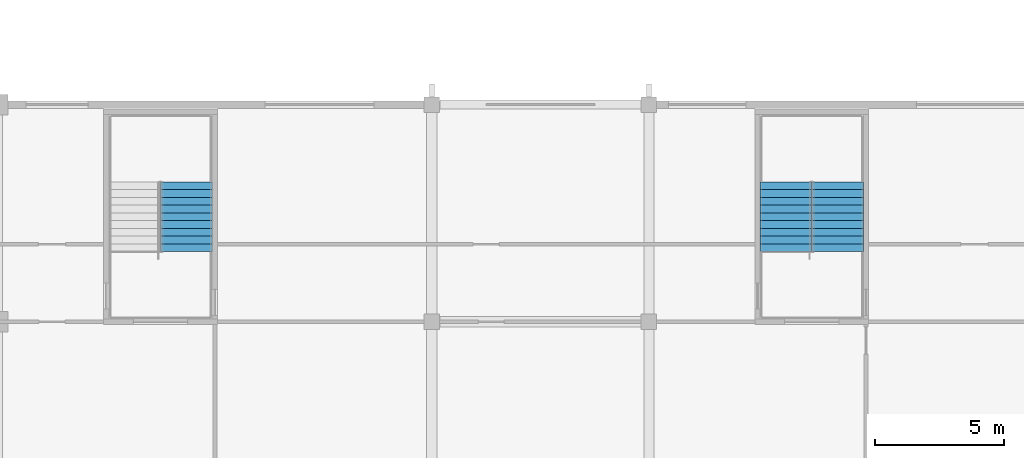
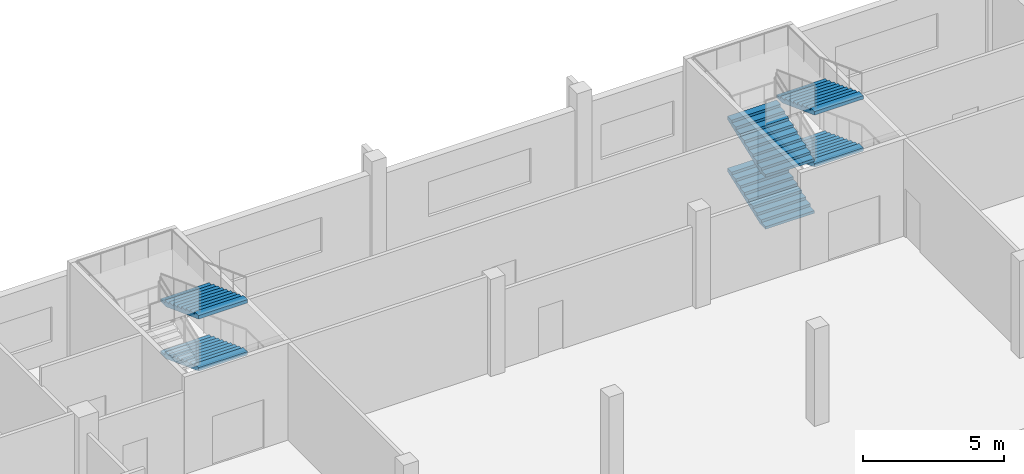
# One storey, part 39 of 56: 6 stair flights, 2 elements without a shape of their own.
"""IFC4 building model written with IfcOpenShell, lengths in metres."""

from ifc_helpers import new_model, si_unit, direction, frame, origin, place, context, subcontext, project, spatial, faceted_brep, material, type_object, element, aggregate, save


model = new_model("IFC4")

# Units and contexts
model_context = context("Model", 3, precision=1e-05, world=origin(), true_north=direction((0.0, 1.0)))
body_context = subcontext(model_context, "Body", "Model", "MODEL_VIEW")
ifc_project = project(units=[si_unit("LENGTHUNIT", "METRE"), si_unit("AREAUNIT", "SQUARE_METRE"), si_unit("VOLUMEUNIT", "CUBIC_METRE"), si_unit("PLANEANGLEUNIT", "RADIAN"), si_unit("MASSUNIT", "GRAM", prefix="KILO")], contexts=[model_context])

# Site, building, storey
site_placement = place(None, origin())
site = spatial("IfcSite", under=ifc_project, at=site_placement, CompositionType="ELEMENT")
building_placement = place(site_placement, origin())
building = spatial("IfcBuilding", under=site, at=building_placement, Name="Rulbaag Community and Learning Centre", CompositionType="ELEMENT")
storey_placement = place(building_placement, frame((0.0, 0.0, 9.89990234375)))
storey = spatial("IfcBuildingStorey", under=building, at=storey_placement, Name="L02", CompositionType="ELEMENT", Elevation=9.89990234375)

# Stair, stair flights
ifc_material = material(Name="Concrete M40", Category="concrete")
stair_type = type_object("IfcStairType", Name="ST-2000 STAIR 2000 WIDE", PredefinedType="HALF_TURN_STAIR", material=ifc_material)
stair_1_placement = place(storey_placement, origin())
stair_1 = element("IfcStair", 1, at=stair_1_placement, inside=storey, type_object=stair_type, Name="Stair ST-H6 L02", PredefinedType="HALF_TURN_STAIR")
stair_flight_type = type_object("IfcStairFlightType", Name="FL-2000 FLIGHT 2000 WIDE Concrete M40", PredefinedType="STRAIGHT", material=ifc_material)
stair_flight_1_placement = place(storey_placement, frame((91.300048828125, 47.41259765625, 1.125), z_axis=(0.0, 0.0, 1.0), x_axis=(0.0, -1.0, 0.0)))
stair_flight_1 = element("IfcStairFlight", 2, at=stair_flight_1_placement, type_object=stair_flight_type, Name="ST-H6 flight 2", NumberOfRisers=10, NumberOfTreads=9, PredefinedType="STRAIGHT", RiserHeight=0.1125, TreadLength=0.3, context=body_context, shape_type="Brep", body=[
    faceted_brep([(0.3984375, -1.0, 0.0), (2.699951171875, -1.0, 0.863037109375), (2.699951171875, -1.0, 1.012451171875), (2.39990234375, -1.0, 1.012451171875), (2.39990234375, -1.0, 0.89990234375), (2.10009765625, -1.0, 0.89990234375), (2.10009765625, -1.0, 0.78759765625), (1.800048828125, -1.0, 0.78759765625), (1.800048828125, -1.0, 0.675048828125), (1.5, -1.0, 0.675048828125), (1.5, -1.0, 0.5625), (1.199951171875, -1.0, 0.5625), (1.199951171875, -1.0, 0.449951171875), (0.89990234375, -1.0, 0.449951171875), (0.89990234375, -1.0, 0.33740234375), (0.60009765625, -1.0, 0.33740234375), (0.60009765625, -1.0, 0.22509765625), (0.300048828125, -1.0, 0.22509765625), (0.300048828125, -1.0, 0.112548828125), (0.0, -1.0, 0.112548828125), (0.0, -1.0, 0.0), (0.0, 1.0, 0.0), (0.0, 1.0, 0.112548828125), (0.300048828125, 1.0, 0.112548828125), (0.300048828125, 1.0, 0.22509765625), (0.60009765625, 1.0, 0.22509765625), (0.60009765625, 1.0, 0.33740234375), (0.89990234375, 1.0, 0.33740234375), (0.89990234375, 1.0, 0.449951171875), (1.199951171875, 1.0, 0.449951171875), (1.199951171875, 1.0, 0.5625), (1.5, 1.0, 0.5625), (1.5, 1.0, 0.675048828125), (1.800048828125, 1.0, 0.675048828125), (1.800048828125, 1.0, 0.78759765625), (2.10009765625, 1.0, 0.78759765625), (2.10009765625, 1.0, 0.89990234375), (2.39990234375, 1.0, 0.89990234375), (2.39990234375, 1.0, 1.012451171875), (2.699951171875, 1.0, 1.012451171875), (2.699951171875, 1.0, 0.863037109375), (0.3984375, 1.0, 0.0), (0.0, -0.333251953125, 0.112548828125), (0.0, -0.333251953125, 0.0), (0.0, 0.333251953125, 0.112548828125), (0.0, 0.333251953125, 0.0), (0.300048828125, -0.333251953125, 0.112548828125), (0.300048828125, 0.333251953125, 0.112548828125), (0.300048828125, -0.333251953125, 0.22509765625), (0.300048828125, 0.333251953125, 0.22509765625), (0.60009765625, -0.333251953125, 0.22509765625), (0.60009765625, 0.333251953125, 0.22509765625), (0.60009765625, -0.333251953125, 0.33740234375), (0.60009765625, 0.333251953125, 0.33740234375), (0.89990234375, -0.333251953125, 0.33740234375), (0.89990234375, 0.333251953125, 0.33740234375), (0.89990234375, -0.333251953125, 0.449951171875), (0.89990234375, 0.333251953125, 0.449951171875), (1.199951171875, -0.333251953125, 0.449951171875), (1.199951171875, 0.333251953125, 0.449951171875), (1.199951171875, -0.333251953125, 0.5625), (1.199951171875, 0.333251953125, 0.5625), (1.5, -0.333251953125, 0.5625), (1.5, 0.333251953125, 0.5625), (1.5, -0.333251953125, 0.675048828125), (1.5, 0.333251953125, 0.675048828125), (1.800048828125, -0.333251953125, 0.675048828125), (1.800048828125, 0.333251953125, 0.675048828125), (1.800048828125, -0.333251953125, 0.78759765625), (1.800048828125, 0.333251953125, 0.78759765625), (2.10009765625, -0.333251953125, 0.78759765625), (2.10009765625, 0.333251953125, 0.78759765625), (2.10009765625, -0.333251953125, 0.89990234375), (2.10009765625, 0.333251953125, 0.89990234375), (2.39990234375, -0.333251953125, 0.89990234375), (2.39990234375, 0.333251953125, 0.89990234375), (2.39990234375, -0.333251953125, 1.012451171875), (2.39990234375, 0.333251953125, 1.012451171875), (2.699951171875, -0.333251953125, 1.012451171875), (2.699951171875, 0.333251953125, 1.012451171875), (2.699951171875, -0.333251953125, 0.863037109375), (2.699951171875, 0.333251953125, 0.863037109375), (0.3984375, -0.333251953125, 0.0), (0.3984375, 0.333251953125, 0.0)], [[[0, 1, 2, 3, 4, 5, 6, 7, 8, 9, 10, 11, 12, 13, 14, 15, 16, 17, 18, 19, 20]], [[21, 22, 23, 24, 25, 26, 27, 28, 29, 30, 31, 32, 33, 34, 35, 36, 37, 38, 39, 40, 41]], [[20, 19, 42, 43]], [[43, 42, 44, 45]], [[45, 44, 22, 21]], [[19, 18, 46, 42]], [[42, 46, 47, 44]], [[44, 47, 23, 22]], [[18, 17, 48, 46]], [[46, 48, 49, 47]], [[47, 49, 24, 23]], [[17, 16, 50, 48]], [[48, 50, 51, 49]], [[49, 51, 25, 24]], [[16, 15, 52, 50]], [[50, 52, 53, 51]], [[51, 53, 26, 25]], [[15, 14, 54, 52]], [[52, 54, 55, 53]], [[53, 55, 27, 26]], [[14, 13, 56, 54]], [[54, 56, 57, 55]], [[55, 57, 28, 27]], [[13, 12, 58, 56]], [[56, 58, 59, 57]], [[57, 59, 29, 28]], [[12, 11, 60, 58]], [[58, 60, 61, 59]], [[59, 61, 30, 29]], [[11, 10, 62, 60]], [[60, 62, 63, 61]], [[61, 63, 31, 30]], [[10, 9, 64, 62]], [[62, 64, 65, 63]], [[63, 65, 32, 31]], [[9, 8, 66, 64]], [[64, 66, 67, 65]], [[65, 67, 33, 32]], [[8, 7, 68, 66]], [[66, 68, 69, 67]], [[67, 69, 34, 33]], [[7, 6, 70, 68]], [[68, 70, 71, 69]], [[69, 71, 35, 34]], [[6, 5, 72, 70]], [[70, 72, 73, 71]], [[71, 73, 36, 35]], [[5, 4, 74, 72]], [[72, 74, 75, 73]], [[73, 75, 37, 36]], [[4, 3, 76, 74]], [[74, 76, 77, 75]], [[75, 77, 38, 37]], [[3, 2, 78, 76]], [[76, 78, 79, 77]], [[77, 79, 39, 38]], [[2, 1, 80, 78]], [[78, 80, 81, 79]], [[79, 81, 40, 39]], [[1, 0, 82, 80]], [[80, 82, 83, 81]], [[81, 83, 41, 40]], [[0, 20, 43, 82]], [[82, 43, 45, 83]], [[83, 45, 21, 41]]]),
])
stair_flight_2_placement = place(storey_placement, frame((91.300048828125, 47.41259765625, 3.375), z_axis=(0.0, 0.0, 1.0), x_axis=(0.0, -1.0, 0.0)))
stair_flight_2 = element("IfcStairFlight", 3, at=stair_flight_2_placement, type_object=stair_flight_type, Name="ST-H6 flight 4", NumberOfRisers=10, NumberOfTreads=9, PredefinedType="STRAIGHT", RiserHeight=0.1125, TreadLength=0.3, context=body_context, shape_type="Brep", body=[
    faceted_brep([(0.3984375, -1.0, 0.0), (2.699951171875, -1.0, 0.863037109375), (2.699951171875, -1.0, 1.012451171875), (2.39990234375, -1.0, 1.012451171875), (2.39990234375, -1.0, 0.89990234375), (2.10009765625, -1.0, 0.89990234375), (2.10009765625, -1.0, 0.78759765625), (1.800048828125, -1.0, 0.78759765625), (1.800048828125, -1.0, 0.675048828125), (1.5, -1.0, 0.675048828125), (1.5, -1.0, 0.5625), (1.199951171875, -1.0, 0.5625), (1.199951171875, -1.0, 0.449951171875), (0.89990234375, -1.0, 0.449951171875), (0.89990234375, -1.0, 0.33740234375), (0.60009765625, -1.0, 0.33740234375), (0.60009765625, -1.0, 0.22509765625), (0.300048828125, -1.0, 0.22509765625), (0.300048828125, -1.0, 0.112548828125), (0.0, -1.0, 0.112548828125), (0.0, -1.0, 0.0), (0.0, 1.0, 0.0), (0.0, 1.0, 0.112548828125), (0.300048828125, 1.0, 0.112548828125), (0.300048828125, 1.0, 0.22509765625), (0.60009765625, 1.0, 0.22509765625), (0.60009765625, 1.0, 0.33740234375), (0.89990234375, 1.0, 0.33740234375), (0.89990234375, 1.0, 0.449951171875), (1.199951171875, 1.0, 0.449951171875), (1.199951171875, 1.0, 0.5625), (1.5, 1.0, 0.5625), (1.5, 1.0, 0.675048828125), (1.800048828125, 1.0, 0.675048828125), (1.800048828125, 1.0, 0.78759765625), (2.10009765625, 1.0, 0.78759765625), (2.10009765625, 1.0, 0.89990234375), (2.39990234375, 1.0, 0.89990234375), (2.39990234375, 1.0, 1.012451171875), (2.699951171875, 1.0, 1.012451171875), (2.699951171875, 1.0, 0.863037109375), (0.3984375, 1.0, 0.0), (0.0, -0.333251953125, 0.112548828125), (0.0, -0.333251953125, 0.0), (0.0, 0.333251953125, 0.112548828125), (0.0, 0.333251953125, 0.0), (0.300048828125, -0.333251953125, 0.112548828125), (0.300048828125, 0.333251953125, 0.112548828125), (0.300048828125, -0.333251953125, 0.22509765625), (0.300048828125, 0.333251953125, 0.22509765625), (0.60009765625, -0.333251953125, 0.22509765625), (0.60009765625, 0.333251953125, 0.22509765625), (0.60009765625, -0.333251953125, 0.33740234375), (0.60009765625, 0.333251953125, 0.33740234375), (0.89990234375, -0.333251953125, 0.33740234375), (0.89990234375, 0.333251953125, 0.33740234375), (0.89990234375, -0.333251953125, 0.449951171875), (0.89990234375, 0.333251953125, 0.449951171875), (1.199951171875, -0.333251953125, 0.449951171875), (1.199951171875, 0.333251953125, 0.449951171875), (1.199951171875, -0.333251953125, 0.5625), (1.199951171875, 0.333251953125, 0.5625), (1.5, -0.333251953125, 0.5625), (1.5, 0.333251953125, 0.5625), (1.5, -0.333251953125, 0.675048828125), (1.5, 0.333251953125, 0.675048828125), (1.800048828125, -0.333251953125, 0.675048828125), (1.800048828125, 0.333251953125, 0.675048828125), (1.800048828125, -0.333251953125, 0.78759765625), (1.800048828125, 0.333251953125, 0.78759765625), (2.10009765625, -0.333251953125, 0.78759765625), (2.10009765625, 0.333251953125, 0.78759765625), (2.10009765625, -0.333251953125, 0.89990234375), (2.10009765625, 0.333251953125, 0.89990234375), (2.39990234375, -0.333251953125, 0.89990234375), (2.39990234375, 0.333251953125, 0.89990234375), (2.39990234375, -0.333251953125, 1.012451171875), (2.39990234375, 0.333251953125, 1.012451171875), (2.699951171875, -0.333251953125, 1.012451171875), (2.699951171875, 0.333251953125, 1.012451171875), (2.699951171875, -0.333251953125, 0.863037109375), (2.699951171875, 0.333251953125, 0.863037109375), (0.3984375, -0.333251953125, 0.0), (0.3984375, 0.333251953125, 0.0)], [[[0, 1, 2, 3, 4, 5, 6, 7, 8, 9, 10, 11, 12, 13, 14, 15, 16, 17, 18, 19, 20]], [[21, 22, 23, 24, 25, 26, 27, 28, 29, 30, 31, 32, 33, 34, 35, 36, 37, 38, 39, 40, 41]], [[20, 19, 42, 43]], [[43, 42, 44, 45]], [[45, 44, 22, 21]], [[19, 18, 46, 42]], [[42, 46, 47, 44]], [[44, 47, 23, 22]], [[18, 17, 48, 46]], [[46, 48, 49, 47]], [[47, 49, 24, 23]], [[17, 16, 50, 48]], [[48, 50, 51, 49]], [[49, 51, 25, 24]], [[16, 15, 52, 50]], [[50, 52, 53, 51]], [[51, 53, 26, 25]], [[15, 14, 54, 52]], [[52, 54, 55, 53]], [[53, 55, 27, 26]], [[14, 13, 56, 54]], [[54, 56, 57, 55]], [[55, 57, 28, 27]], [[13, 12, 58, 56]], [[56, 58, 59, 57]], [[57, 59, 29, 28]], [[12, 11, 60, 58]], [[58, 60, 61, 59]], [[59, 61, 30, 29]], [[11, 10, 62, 60]], [[60, 62, 63, 61]], [[61, 63, 31, 30]], [[10, 9, 64, 62]], [[62, 64, 65, 63]], [[63, 65, 32, 31]], [[9, 8, 66, 64]], [[64, 66, 67, 65]], [[65, 67, 33, 32]], [[8, 7, 68, 66]], [[66, 68, 69, 67]], [[67, 69, 34, 33]], [[7, 6, 70, 68]], [[68, 70, 71, 69]], [[69, 71, 35, 34]], [[6, 5, 72, 70]], [[70, 72, 73, 71]], [[71, 73, 36, 35]], [[5, 4, 74, 72]], [[72, 74, 75, 73]], [[73, 75, 37, 36]], [[4, 3, 76, 74]], [[74, 76, 77, 75]], [[75, 77, 38, 37]], [[3, 2, 78, 76]], [[76, 78, 79, 77]], [[77, 79, 39, 38]], [[2, 1, 80, 78]], [[78, 80, 81, 79]], [[79, 81, 40, 39]], [[1, 0, 82, 80]], [[80, 82, 83, 81]], [[81, 83, 41, 40]], [[0, 20, 43, 82]], [[82, 43, 45, 83]], [[83, 45, 21, 41]]]),
])
aggregate(stair_1, [stair_flight_1, stair_flight_2])

stair_2_placement = place(storey_placement, origin())
stair_2 = element("IfcStair", 4, at=stair_2_placement, inside=storey, type_object=stair_type, Name="Stair ST-H7 L02", PredefinedType="HALF_TURN_STAIR")
stair_flight_3_placement = place(storey_placement, frame((114.5, 44.71240234375, 0.0), z_axis=(0.0, 0.0, 1.0), x_axis=(0.0, 1.0, 0.0)))
stair_flight_3 = element("IfcStairFlight", 5, at=stair_flight_3_placement, type_object=stair_flight_type, Name="ST-H7 flight 1", NumberOfRisers=10, NumberOfTreads=9, PredefinedType="STRAIGHT", RiserHeight=0.1125, TreadLength=0.3, context=body_context, shape_type="Brep", body=[
    faceted_brep([(0.3984375, -1.0, 0.0), (2.699951171875, -1.0, 0.863037109375), (2.699951171875, -1.0, 1.012451171875), (2.39990234375, -1.0, 1.012451171875), (2.39990234375, -1.0, 0.89990234375), (2.10009765625, -1.0, 0.89990234375), (2.10009765625, -1.0, 0.78759765625), (1.800048828125, -1.0, 0.78759765625), (1.800048828125, -1.0, 0.675048828125), (1.5, -1.0, 0.675048828125), (1.5, -1.0, 0.5625), (1.199951171875, -1.0, 0.5625), (1.199951171875, -1.0, 0.449951171875), (0.89990234375, -1.0, 0.449951171875), (0.89990234375, -1.0, 0.33740234375), (0.60009765625, -1.0, 0.33740234375), (0.60009765625, -1.0, 0.22509765625), (0.300048828125, -1.0, 0.22509765625), (0.300048828125, -1.0, 0.112548828125), (0.0, -1.0, 0.112548828125), (0.0, -1.0, 0.0), (0.0, 1.0, 0.0), (0.0, 1.0, 0.112548828125), (0.300048828125, 1.0, 0.112548828125), (0.300048828125, 1.0, 0.22509765625), (0.60009765625, 1.0, 0.22509765625), (0.60009765625, 1.0, 0.33740234375), (0.89990234375, 1.0, 0.33740234375), (0.89990234375, 1.0, 0.449951171875), (1.199951171875, 1.0, 0.449951171875), (1.199951171875, 1.0, 0.5625), (1.5, 1.0, 0.5625), (1.5, 1.0, 0.675048828125), (1.800048828125, 1.0, 0.675048828125), (1.800048828125, 1.0, 0.78759765625), (2.10009765625, 1.0, 0.78759765625), (2.10009765625, 1.0, 0.89990234375), (2.39990234375, 1.0, 0.89990234375), (2.39990234375, 1.0, 1.012451171875), (2.699951171875, 1.0, 1.012451171875), (2.699951171875, 1.0, 0.863037109375), (0.3984375, 1.0, 0.0), (0.0, -0.333251953125, 0.112548828125), (0.0, -0.333251953125, 0.0), (0.0, 0.333251953125, 0.112548828125), (0.0, 0.333251953125, 0.0), (0.300048828125, -0.333251953125, 0.112548828125), (0.300048828125, 0.333251953125, 0.112548828125), (0.300048828125, -0.333251953125, 0.22509765625), (0.300048828125, 0.333251953125, 0.22509765625), (0.60009765625, -0.333251953125, 0.22509765625), (0.60009765625, 0.333251953125, 0.22509765625), (0.60009765625, -0.333251953125, 0.33740234375), (0.60009765625, 0.333251953125, 0.33740234375), (0.89990234375, -0.333251953125, 0.33740234375), (0.89990234375, 0.333251953125, 0.33740234375), (0.89990234375, -0.333251953125, 0.449951171875), (0.89990234375, 0.333251953125, 0.449951171875), (1.199951171875, -0.333251953125, 0.449951171875), (1.199951171875, 0.333251953125, 0.449951171875), (1.199951171875, -0.333251953125, 0.5625), (1.199951171875, 0.333251953125, 0.5625), (1.5, -0.333251953125, 0.5625), (1.5, 0.333251953125, 0.5625), (1.5, -0.333251953125, 0.675048828125), (1.5, 0.333251953125, 0.675048828125), (1.800048828125, -0.333251953125, 0.675048828125), (1.800048828125, 0.333251953125, 0.675048828125), (1.800048828125, -0.333251953125, 0.78759765625), (1.800048828125, 0.333251953125, 0.78759765625), (2.10009765625, -0.333251953125, 0.78759765625), (2.10009765625, 0.333251953125, 0.78759765625), (2.10009765625, -0.333251953125, 0.89990234375), (2.10009765625, 0.333251953125, 0.89990234375), (2.39990234375, -0.333251953125, 0.89990234375), (2.39990234375, 0.333251953125, 0.89990234375), (2.39990234375, -0.333251953125, 1.012451171875), (2.39990234375, 0.333251953125, 1.012451171875), (2.699951171875, -0.333251953125, 1.012451171875), (2.699951171875, 0.333251953125, 1.012451171875), (2.699951171875, -0.333251953125, 0.863037109375), (2.699951171875, 0.333251953125, 0.863037109375), (0.3984375, -0.333251953125, 0.0), (0.3984375, 0.333251953125, 0.0)], [[[0, 1, 2, 3, 4, 5, 6, 7, 8, 9, 10, 11, 12, 13, 14, 15, 16, 17, 18, 19, 20]], [[21, 22, 23, 24, 25, 26, 27, 28, 29, 30, 31, 32, 33, 34, 35, 36, 37, 38, 39, 40, 41]], [[20, 19, 42, 43]], [[43, 42, 44, 45]], [[45, 44, 22, 21]], [[19, 18, 46, 42]], [[42, 46, 47, 44]], [[44, 47, 23, 22]], [[18, 17, 48, 46]], [[46, 48, 49, 47]], [[47, 49, 24, 23]], [[17, 16, 50, 48]], [[48, 50, 51, 49]], [[49, 51, 25, 24]], [[16, 15, 52, 50]], [[50, 52, 53, 51]], [[51, 53, 26, 25]], [[15, 14, 54, 52]], [[52, 54, 55, 53]], [[53, 55, 27, 26]], [[14, 13, 56, 54]], [[54, 56, 57, 55]], [[55, 57, 28, 27]], [[13, 12, 58, 56]], [[56, 58, 59, 57]], [[57, 59, 29, 28]], [[12, 11, 60, 58]], [[58, 60, 61, 59]], [[59, 61, 30, 29]], [[11, 10, 62, 60]], [[60, 62, 63, 61]], [[61, 63, 31, 30]], [[10, 9, 64, 62]], [[62, 64, 65, 63]], [[63, 65, 32, 31]], [[9, 8, 66, 64]], [[64, 66, 67, 65]], [[65, 67, 33, 32]], [[8, 7, 68, 66]], [[66, 68, 69, 67]], [[67, 69, 34, 33]], [[7, 6, 70, 68]], [[68, 70, 71, 69]], [[69, 71, 35, 34]], [[6, 5, 72, 70]], [[70, 72, 73, 71]], [[71, 73, 36, 35]], [[5, 4, 74, 72]], [[72, 74, 75, 73]], [[73, 75, 37, 36]], [[4, 3, 76, 74]], [[74, 76, 77, 75]], [[75, 77, 38, 37]], [[3, 2, 78, 76]], [[76, 78, 79, 77]], [[77, 79, 39, 38]], [[2, 1, 80, 78]], [[78, 80, 81, 79]], [[79, 81, 40, 39]], [[1, 0, 82, 80]], [[80, 82, 83, 81]], [[81, 83, 41, 40]], [[0, 20, 43, 82]], [[82, 43, 45, 83]], [[83, 45, 21, 41]]]),
])
stair_flight_4_placement = place(storey_placement, frame((116.5, 47.41259765625, 1.125), z_axis=(0.0, 0.0, 1.0), x_axis=(0.0, -1.0, 0.0)))
stair_flight_4 = element("IfcStairFlight", 6, at=stair_flight_4_placement, type_object=stair_flight_type, Name="ST-H7 flight 2", NumberOfRisers=10, NumberOfTreads=9, PredefinedType="STRAIGHT", RiserHeight=0.1125, TreadLength=0.3, context=body_context, shape_type="Brep", body=[
    faceted_brep([(0.3984375, -1.0, 0.0), (2.699951171875, -1.0, 0.863037109375), (2.699951171875, -1.0, 1.012451171875), (2.39990234375, -1.0, 1.012451171875), (2.39990234375, -1.0, 0.89990234375), (2.10009765625, -1.0, 0.89990234375), (2.10009765625, -1.0, 0.78759765625), (1.800048828125, -1.0, 0.78759765625), (1.800048828125, -1.0, 0.675048828125), (1.5, -1.0, 0.675048828125), (1.5, -1.0, 0.5625), (1.199951171875, -1.0, 0.5625), (1.199951171875, -1.0, 0.449951171875), (0.89990234375, -1.0, 0.449951171875), (0.89990234375, -1.0, 0.33740234375), (0.60009765625, -1.0, 0.33740234375), (0.60009765625, -1.0, 0.22509765625), (0.300048828125, -1.0, 0.22509765625), (0.300048828125, -1.0, 0.112548828125), (0.0, -1.0, 0.112548828125), (0.0, -1.0, 0.0), (0.0, 1.0, 0.0), (0.0, 1.0, 0.112548828125), (0.300048828125, 1.0, 0.112548828125), (0.300048828125, 1.0, 0.22509765625), (0.60009765625, 1.0, 0.22509765625), (0.60009765625, 1.0, 0.33740234375), (0.89990234375, 1.0, 0.33740234375), (0.89990234375, 1.0, 0.449951171875), (1.199951171875, 1.0, 0.449951171875), (1.199951171875, 1.0, 0.5625), (1.5, 1.0, 0.5625), (1.5, 1.0, 0.675048828125), (1.800048828125, 1.0, 0.675048828125), (1.800048828125, 1.0, 0.78759765625), (2.10009765625, 1.0, 0.78759765625), (2.10009765625, 1.0, 0.89990234375), (2.39990234375, 1.0, 0.89990234375), (2.39990234375, 1.0, 1.012451171875), (2.699951171875, 1.0, 1.012451171875), (2.699951171875, 1.0, 0.863037109375), (0.3984375, 1.0, 0.0), (0.0, -0.333251953125, 0.112548828125), (0.0, -0.333251953125, 0.0), (0.0, 0.333251953125, 0.112548828125), (0.0, 0.333251953125, 0.0), (0.300048828125, -0.333251953125, 0.112548828125), (0.300048828125, 0.333251953125, 0.112548828125), (0.300048828125, -0.333251953125, 0.22509765625), (0.300048828125, 0.333251953125, 0.22509765625), (0.60009765625, -0.333251953125, 0.22509765625), (0.60009765625, 0.333251953125, 0.22509765625), (0.60009765625, -0.333251953125, 0.33740234375), (0.60009765625, 0.333251953125, 0.33740234375), (0.89990234375, -0.333251953125, 0.33740234375), (0.89990234375, 0.333251953125, 0.33740234375), (0.89990234375, -0.333251953125, 0.449951171875), (0.89990234375, 0.333251953125, 0.449951171875), (1.199951171875, -0.333251953125, 0.449951171875), (1.199951171875, 0.333251953125, 0.449951171875), (1.199951171875, -0.333251953125, 0.5625), (1.199951171875, 0.333251953125, 0.5625), (1.5, -0.333251953125, 0.5625), (1.5, 0.333251953125, 0.5625), (1.5, -0.333251953125, 0.675048828125), (1.5, 0.333251953125, 0.675048828125), (1.800048828125, -0.333251953125, 0.675048828125), (1.800048828125, 0.333251953125, 0.675048828125), (1.800048828125, -0.333251953125, 0.78759765625), (1.800048828125, 0.333251953125, 0.78759765625), (2.10009765625, -0.333251953125, 0.78759765625), (2.10009765625, 0.333251953125, 0.78759765625), (2.10009765625, -0.333251953125, 0.89990234375), (2.10009765625, 0.333251953125, 0.89990234375), (2.39990234375, -0.333251953125, 0.89990234375), (2.39990234375, 0.333251953125, 0.89990234375), (2.39990234375, -0.333251953125, 1.012451171875), (2.39990234375, 0.333251953125, 1.012451171875), (2.699951171875, -0.333251953125, 1.012451171875), (2.699951171875, 0.333251953125, 1.012451171875), (2.699951171875, -0.333251953125, 0.863037109375), (2.699951171875, 0.333251953125, 0.863037109375), (0.3984375, -0.333251953125, 0.0), (0.3984375, 0.333251953125, 0.0)], [[[0, 1, 2, 3, 4, 5, 6, 7, 8, 9, 10, 11, 12, 13, 14, 15, 16, 17, 18, 19, 20]], [[21, 22, 23, 24, 25, 26, 27, 28, 29, 30, 31, 32, 33, 34, 35, 36, 37, 38, 39, 40, 41]], [[20, 19, 42, 43]], [[43, 42, 44, 45]], [[45, 44, 22, 21]], [[19, 18, 46, 42]], [[42, 46, 47, 44]], [[44, 47, 23, 22]], [[18, 17, 48, 46]], [[46, 48, 49, 47]], [[47, 49, 24, 23]], [[17, 16, 50, 48]], [[48, 50, 51, 49]], [[49, 51, 25, 24]], [[16, 15, 52, 50]], [[50, 52, 53, 51]], [[51, 53, 26, 25]], [[15, 14, 54, 52]], [[52, 54, 55, 53]], [[53, 55, 27, 26]], [[14, 13, 56, 54]], [[54, 56, 57, 55]], [[55, 57, 28, 27]], [[13, 12, 58, 56]], [[56, 58, 59, 57]], [[57, 59, 29, 28]], [[12, 11, 60, 58]], [[58, 60, 61, 59]], [[59, 61, 30, 29]], [[11, 10, 62, 60]], [[60, 62, 63, 61]], [[61, 63, 31, 30]], [[10, 9, 64, 62]], [[62, 64, 65, 63]], [[63, 65, 32, 31]], [[9, 8, 66, 64]], [[64, 66, 67, 65]], [[65, 67, 33, 32]], [[8, 7, 68, 66]], [[66, 68, 69, 67]], [[67, 69, 34, 33]], [[7, 6, 70, 68]], [[68, 70, 71, 69]], [[69, 71, 35, 34]], [[6, 5, 72, 70]], [[70, 72, 73, 71]], [[71, 73, 36, 35]], [[5, 4, 74, 72]], [[72, 74, 75, 73]], [[73, 75, 37, 36]], [[4, 3, 76, 74]], [[74, 76, 77, 75]], [[75, 77, 38, 37]], [[3, 2, 78, 76]], [[76, 78, 79, 77]], [[77, 79, 39, 38]], [[2, 1, 80, 78]], [[78, 80, 81, 79]], [[79, 81, 40, 39]], [[1, 0, 82, 80]], [[80, 82, 83, 81]], [[81, 83, 41, 40]], [[0, 20, 43, 82]], [[82, 43, 45, 83]], [[83, 45, 21, 41]]]),
])
stair_flight_5_placement = place(storey_placement, frame((114.5, 44.71240234375, 2.25), z_axis=(0.0, 0.0, 1.0), x_axis=(0.0, 1.0, 0.0)))
stair_flight_5 = element("IfcStairFlight", 7, at=stair_flight_5_placement, type_object=stair_flight_type, Name="ST-H7 flight 3", NumberOfRisers=10, NumberOfTreads=9, PredefinedType="STRAIGHT", RiserHeight=0.1125, TreadLength=0.3, context=body_context, shape_type="Brep", body=[
    faceted_brep([(0.3984375, -1.0, 0.0), (2.699951171875, -1.0, 0.863037109375), (2.699951171875, -1.0, 1.012451171875), (2.39990234375, -1.0, 1.012451171875), (2.39990234375, -1.0, 0.89990234375), (2.10009765625, -1.0, 0.89990234375), (2.10009765625, -1.0, 0.78759765625), (1.800048828125, -1.0, 0.78759765625), (1.800048828125, -1.0, 0.675048828125), (1.5, -1.0, 0.675048828125), (1.5, -1.0, 0.5625), (1.199951171875, -1.0, 0.5625), (1.199951171875, -1.0, 0.449951171875), (0.89990234375, -1.0, 0.449951171875), (0.89990234375, -1.0, 0.33740234375), (0.60009765625, -1.0, 0.33740234375), (0.60009765625, -1.0, 0.22509765625), (0.300048828125, -1.0, 0.22509765625), (0.300048828125, -1.0, 0.112548828125), (0.0, -1.0, 0.112548828125), (0.0, -1.0, 0.0), (0.0, 1.0, 0.0), (0.0, 1.0, 0.112548828125), (0.300048828125, 1.0, 0.112548828125), (0.300048828125, 1.0, 0.22509765625), (0.60009765625, 1.0, 0.22509765625), (0.60009765625, 1.0, 0.33740234375), (0.89990234375, 1.0, 0.33740234375), (0.89990234375, 1.0, 0.449951171875), (1.199951171875, 1.0, 0.449951171875), (1.199951171875, 1.0, 0.5625), (1.5, 1.0, 0.5625), (1.5, 1.0, 0.675048828125), (1.800048828125, 1.0, 0.675048828125), (1.800048828125, 1.0, 0.78759765625), (2.10009765625, 1.0, 0.78759765625), (2.10009765625, 1.0, 0.89990234375), (2.39990234375, 1.0, 0.89990234375), (2.39990234375, 1.0, 1.012451171875), (2.699951171875, 1.0, 1.012451171875), (2.699951171875, 1.0, 0.863037109375), (0.3984375, 1.0, 0.0), (0.0, -0.333251953125, 0.112548828125), (0.0, -0.333251953125, 0.0), (0.0, 0.333251953125, 0.112548828125), (0.0, 0.333251953125, 0.0), (0.300048828125, -0.333251953125, 0.112548828125), (0.300048828125, 0.333251953125, 0.112548828125), (0.300048828125, -0.333251953125, 0.22509765625), (0.300048828125, 0.333251953125, 0.22509765625), (0.60009765625, -0.333251953125, 0.22509765625), (0.60009765625, 0.333251953125, 0.22509765625), (0.60009765625, -0.333251953125, 0.33740234375), (0.60009765625, 0.333251953125, 0.33740234375), (0.89990234375, -0.333251953125, 0.33740234375), (0.89990234375, 0.333251953125, 0.33740234375), (0.89990234375, -0.333251953125, 0.449951171875), (0.89990234375, 0.333251953125, 0.449951171875), (1.199951171875, -0.333251953125, 0.449951171875), (1.199951171875, 0.333251953125, 0.449951171875), (1.199951171875, -0.333251953125, 0.5625), (1.199951171875, 0.333251953125, 0.5625), (1.5, -0.333251953125, 0.5625), (1.5, 0.333251953125, 0.5625), (1.5, -0.333251953125, 0.675048828125), (1.5, 0.333251953125, 0.675048828125), (1.800048828125, -0.333251953125, 0.675048828125), (1.800048828125, 0.333251953125, 0.675048828125), (1.800048828125, -0.333251953125, 0.78759765625), (1.800048828125, 0.333251953125, 0.78759765625), (2.10009765625, -0.333251953125, 0.78759765625), (2.10009765625, 0.333251953125, 0.78759765625), (2.10009765625, -0.333251953125, 0.89990234375), (2.10009765625, 0.333251953125, 0.89990234375), (2.39990234375, -0.333251953125, 0.89990234375), (2.39990234375, 0.333251953125, 0.89990234375), (2.39990234375, -0.333251953125, 1.012451171875), (2.39990234375, 0.333251953125, 1.012451171875), (2.699951171875, -0.333251953125, 1.012451171875), (2.699951171875, 0.333251953125, 1.012451171875), (2.699951171875, -0.333251953125, 0.863037109375), (2.699951171875, 0.333251953125, 0.863037109375), (0.3984375, -0.333251953125, 0.0), (0.3984375, 0.333251953125, 0.0)], [[[0, 1, 2, 3, 4, 5, 6, 7, 8, 9, 10, 11, 12, 13, 14, 15, 16, 17, 18, 19, 20]], [[21, 22, 23, 24, 25, 26, 27, 28, 29, 30, 31, 32, 33, 34, 35, 36, 37, 38, 39, 40, 41]], [[20, 19, 42, 43]], [[43, 42, 44, 45]], [[45, 44, 22, 21]], [[19, 18, 46, 42]], [[42, 46, 47, 44]], [[44, 47, 23, 22]], [[18, 17, 48, 46]], [[46, 48, 49, 47]], [[47, 49, 24, 23]], [[17, 16, 50, 48]], [[48, 50, 51, 49]], [[49, 51, 25, 24]], [[16, 15, 52, 50]], [[50, 52, 53, 51]], [[51, 53, 26, 25]], [[15, 14, 54, 52]], [[52, 54, 55, 53]], [[53, 55, 27, 26]], [[14, 13, 56, 54]], [[54, 56, 57, 55]], [[55, 57, 28, 27]], [[13, 12, 58, 56]], [[56, 58, 59, 57]], [[57, 59, 29, 28]], [[12, 11, 60, 58]], [[58, 60, 61, 59]], [[59, 61, 30, 29]], [[11, 10, 62, 60]], [[60, 62, 63, 61]], [[61, 63, 31, 30]], [[10, 9, 64, 62]], [[62, 64, 65, 63]], [[63, 65, 32, 31]], [[9, 8, 66, 64]], [[64, 66, 67, 65]], [[65, 67, 33, 32]], [[8, 7, 68, 66]], [[66, 68, 69, 67]], [[67, 69, 34, 33]], [[7, 6, 70, 68]], [[68, 70, 71, 69]], [[69, 71, 35, 34]], [[6, 5, 72, 70]], [[70, 72, 73, 71]], [[71, 73, 36, 35]], [[5, 4, 74, 72]], [[72, 74, 75, 73]], [[73, 75, 37, 36]], [[4, 3, 76, 74]], [[74, 76, 77, 75]], [[75, 77, 38, 37]], [[3, 2, 78, 76]], [[76, 78, 79, 77]], [[77, 79, 39, 38]], [[2, 1, 80, 78]], [[78, 80, 81, 79]], [[79, 81, 40, 39]], [[1, 0, 82, 80]], [[80, 82, 83, 81]], [[81, 83, 41, 40]], [[0, 20, 43, 82]], [[82, 43, 45, 83]], [[83, 45, 21, 41]]]),
])
stair_flight_6_placement = place(storey_placement, frame((116.5, 47.41259765625, 3.375), z_axis=(0.0, 0.0, 1.0), x_axis=(0.0, -1.0, 0.0)))
stair_flight_6 = element("IfcStairFlight", 8, at=stair_flight_6_placement, type_object=stair_flight_type, Name="ST-H7 flight 4", NumberOfRisers=10, NumberOfTreads=9, PredefinedType="STRAIGHT", RiserHeight=0.1125, TreadLength=0.3, context=body_context, shape_type="Brep", body=[
    faceted_brep([(0.3984375, -1.0, 0.0), (2.699951171875, -1.0, 0.863037109375), (2.699951171875, -1.0, 1.012451171875), (2.39990234375, -1.0, 1.012451171875), (2.39990234375, -1.0, 0.89990234375), (2.10009765625, -1.0, 0.89990234375), (2.10009765625, -1.0, 0.78759765625), (1.800048828125, -1.0, 0.78759765625), (1.800048828125, -1.0, 0.675048828125), (1.5, -1.0, 0.675048828125), (1.5, -1.0, 0.5625), (1.199951171875, -1.0, 0.5625), (1.199951171875, -1.0, 0.449951171875), (0.89990234375, -1.0, 0.449951171875), (0.89990234375, -1.0, 0.33740234375), (0.60009765625, -1.0, 0.33740234375), (0.60009765625, -1.0, 0.22509765625), (0.300048828125, -1.0, 0.22509765625), (0.300048828125, -1.0, 0.112548828125), (0.0, -1.0, 0.112548828125), (0.0, -1.0, 0.0), (0.0, 1.0, 0.0), (0.0, 1.0, 0.112548828125), (0.300048828125, 1.0, 0.112548828125), (0.300048828125, 1.0, 0.22509765625), (0.60009765625, 1.0, 0.22509765625), (0.60009765625, 1.0, 0.33740234375), (0.89990234375, 1.0, 0.33740234375), (0.89990234375, 1.0, 0.449951171875), (1.199951171875, 1.0, 0.449951171875), (1.199951171875, 1.0, 0.5625), (1.5, 1.0, 0.5625), (1.5, 1.0, 0.675048828125), (1.800048828125, 1.0, 0.675048828125), (1.800048828125, 1.0, 0.78759765625), (2.10009765625, 1.0, 0.78759765625), (2.10009765625, 1.0, 0.89990234375), (2.39990234375, 1.0, 0.89990234375), (2.39990234375, 1.0, 1.012451171875), (2.699951171875, 1.0, 1.012451171875), (2.699951171875, 1.0, 0.863037109375), (0.3984375, 1.0, 0.0), (0.0, -0.333251953125, 0.112548828125), (0.0, -0.333251953125, 0.0), (0.0, 0.333251953125, 0.112548828125), (0.0, 0.333251953125, 0.0), (0.300048828125, -0.333251953125, 0.112548828125), (0.300048828125, 0.333251953125, 0.112548828125), (0.300048828125, -0.333251953125, 0.22509765625), (0.300048828125, 0.333251953125, 0.22509765625), (0.60009765625, -0.333251953125, 0.22509765625), (0.60009765625, 0.333251953125, 0.22509765625), (0.60009765625, -0.333251953125, 0.33740234375), (0.60009765625, 0.333251953125, 0.33740234375), (0.89990234375, -0.333251953125, 0.33740234375), (0.89990234375, 0.333251953125, 0.33740234375), (0.89990234375, -0.333251953125, 0.449951171875), (0.89990234375, 0.333251953125, 0.449951171875), (1.199951171875, -0.333251953125, 0.449951171875), (1.199951171875, 0.333251953125, 0.449951171875), (1.199951171875, -0.333251953125, 0.5625), (1.199951171875, 0.333251953125, 0.5625), (1.5, -0.333251953125, 0.5625), (1.5, 0.333251953125, 0.5625), (1.5, -0.333251953125, 0.675048828125), (1.5, 0.333251953125, 0.675048828125), (1.800048828125, -0.333251953125, 0.675048828125), (1.800048828125, 0.333251953125, 0.675048828125), (1.800048828125, -0.333251953125, 0.78759765625), (1.800048828125, 0.333251953125, 0.78759765625), (2.10009765625, -0.333251953125, 0.78759765625), (2.10009765625, 0.333251953125, 0.78759765625), (2.10009765625, -0.333251953125, 0.89990234375), (2.10009765625, 0.333251953125, 0.89990234375), (2.39990234375, -0.333251953125, 0.89990234375), (2.39990234375, 0.333251953125, 0.89990234375), (2.39990234375, -0.333251953125, 1.012451171875), (2.39990234375, 0.333251953125, 1.012451171875), (2.699951171875, -0.333251953125, 1.012451171875), (2.699951171875, 0.333251953125, 1.012451171875), (2.699951171875, -0.333251953125, 0.863037109375), (2.699951171875, 0.333251953125, 0.863037109375), (0.3984375, -0.333251953125, 0.0), (0.3984375, 0.333251953125, 0.0)], [[[0, 1, 2, 3, 4, 5, 6, 7, 8, 9, 10, 11, 12, 13, 14, 15, 16, 17, 18, 19, 20]], [[21, 22, 23, 24, 25, 26, 27, 28, 29, 30, 31, 32, 33, 34, 35, 36, 37, 38, 39, 40, 41]], [[20, 19, 42, 43]], [[43, 42, 44, 45]], [[45, 44, 22, 21]], [[19, 18, 46, 42]], [[42, 46, 47, 44]], [[44, 47, 23, 22]], [[18, 17, 48, 46]], [[46, 48, 49, 47]], [[47, 49, 24, 23]], [[17, 16, 50, 48]], [[48, 50, 51, 49]], [[49, 51, 25, 24]], [[16, 15, 52, 50]], [[50, 52, 53, 51]], [[51, 53, 26, 25]], [[15, 14, 54, 52]], [[52, 54, 55, 53]], [[53, 55, 27, 26]], [[14, 13, 56, 54]], [[54, 56, 57, 55]], [[55, 57, 28, 27]], [[13, 12, 58, 56]], [[56, 58, 59, 57]], [[57, 59, 29, 28]], [[12, 11, 60, 58]], [[58, 60, 61, 59]], [[59, 61, 30, 29]], [[11, 10, 62, 60]], [[60, 62, 63, 61]], [[61, 63, 31, 30]], [[10, 9, 64, 62]], [[62, 64, 65, 63]], [[63, 65, 32, 31]], [[9, 8, 66, 64]], [[64, 66, 67, 65]], [[65, 67, 33, 32]], [[8, 7, 68, 66]], [[66, 68, 69, 67]], [[67, 69, 34, 33]], [[7, 6, 70, 68]], [[68, 70, 71, 69]], [[69, 71, 35, 34]], [[6, 5, 72, 70]], [[70, 72, 73, 71]], [[71, 73, 36, 35]], [[5, 4, 74, 72]], [[72, 74, 75, 73]], [[73, 75, 37, 36]], [[4, 3, 76, 74]], [[74, 76, 77, 75]], [[75, 77, 38, 37]], [[3, 2, 78, 76]], [[76, 78, 79, 77]], [[77, 79, 39, 38]], [[2, 1, 80, 78]], [[78, 80, 81, 79]], [[79, 81, 40, 39]], [[1, 0, 82, 80]], [[80, 82, 83, 81]], [[81, 83, 41, 40]], [[0, 20, 43, 82]], [[82, 43, 45, 83]], [[83, 45, 21, 41]]]),
])
aggregate(stair_2, [stair_flight_3, stair_flight_4, stair_flight_5, stair_flight_6])

save(model, "model.ifc")
